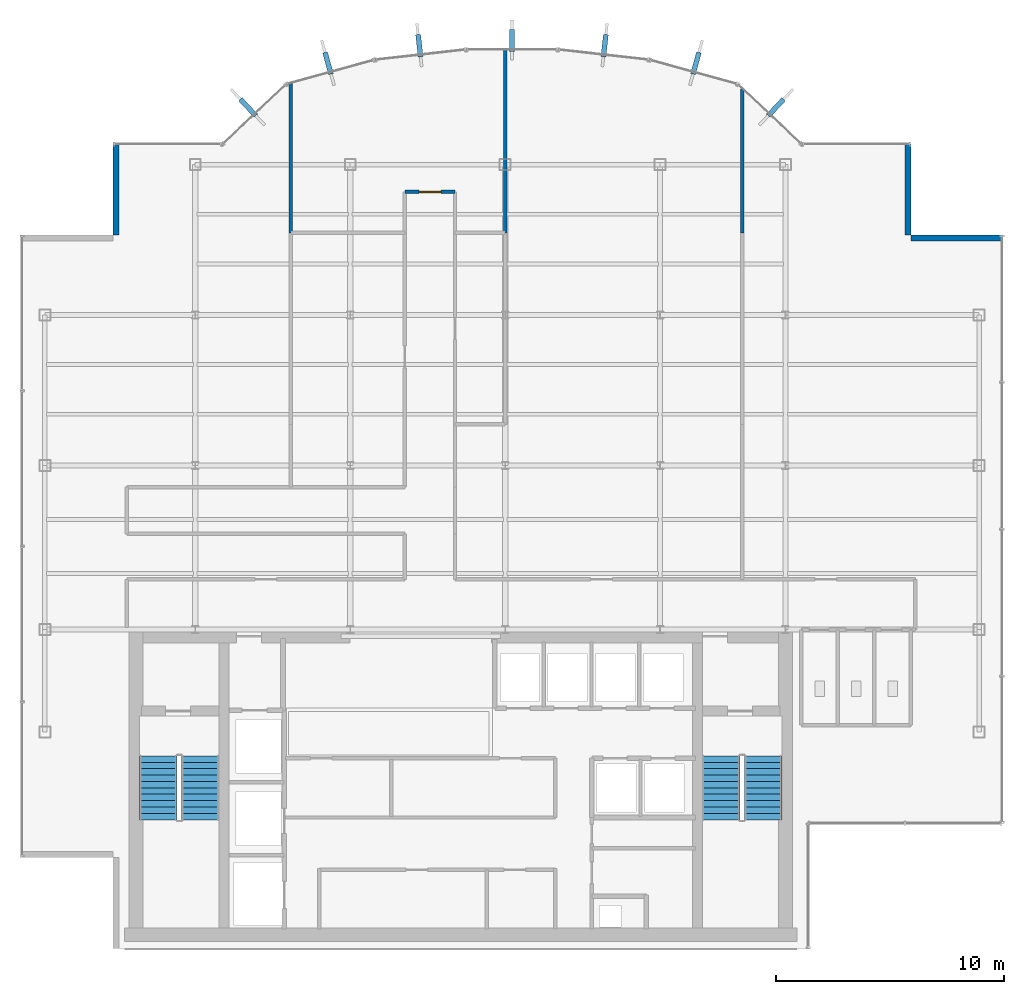
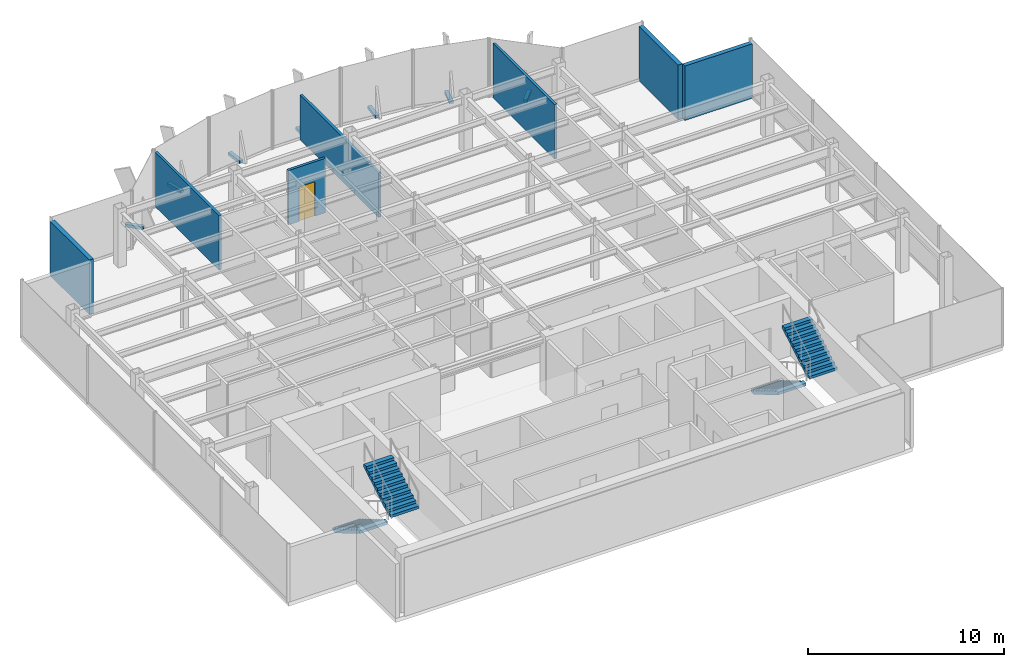
# One storey, part 19 of 22: 7 discrete accessories, 7 walls, 4 stair flights, 1 door, 1 opening, 2 elements without a shape of their own.
"""IFC4 building model written with IfcOpenShell, lengths in metres."""

from ifc_helpers import new_model, si_unit, derived_unit, direction, frame, frame_2d, origin, origin_2d, place, context, subcontext, project, spatial, polyline, rectangle, outline, extrude, source, transform, mapped, material, layer, layer_set, type_object, element, fill, aggregate, save


model = new_model("IFC4")

# Units and contexts
model_context = context("Model", 3, precision=1e-05, world=origin(), true_north=direction((0.0, 1.0)))
body_context = subcontext(model_context, "Body", "Model", "MODEL_VIEW")
ifc_project = project(units=[si_unit("LENGTHUNIT", "METRE"), si_unit("AREAUNIT", "SQUARE_METRE"), si_unit("VOLUMEUNIT", "CUBIC_METRE"), si_unit("PLANEANGLEUNIT", "RADIAN"), si_unit("MASSUNIT", "GRAM", prefix="KILO"), derived_unit("THERMALTRANSMITTANCEUNIT", [(si_unit("POWERUNIT", "WATT"), 1), (si_unit("LENGTHUNIT", "METRE"), -2), (si_unit("THERMODYNAMICTEMPERATUREUNIT", "KELVIN"), -1)])], contexts=[model_context])

# Site, building, storey
site_placement = place(None, origin())
site = spatial("IfcSite", under=ifc_project, at=site_placement, CompositionType="ELEMENT")
building_placement = place(site_placement, origin())
building = spatial("IfcBuilding", under=site, at=building_placement, Name="Skarnbrae Concourse Arena and Tower", CompositionType="ELEMENT")
storey_placement = place(building_placement, frame((0.0, 0.0, 228.75)))
storey = spatial("IfcBuildingStorey", under=building, at=storey_placement, Name="L59", CompositionType="ELEMENT", Elevation=228.75)

# Walls
ifc_material_1 = material(Name="Precast concrete 40 MPa (C40/50)", Category="concrete")
ifc_layer_1 = layer(ifc_material_1, 0.25)
ifc_layer_set_1 = layer_set([ifc_layer_1], Name="Precast concrete 40 MPa (C40/50)")
wall_type_1 = type_object("IfcWallType", Name="WALL-EXT-SPANDREL-250", PredefinedType="STANDARD", material=ifc_layer_set_1)
shared_shape_1 = source(origin(), body_context, "Body", "SweptSolid", [
    extrude(rectangle(XDim=4.0, YDim=0.25, at=frame_2d((2.0, 0.0))), origin(), (0.0, 0.0, 1.0), 3.39990234375),
])
for number, where, z_axis, x_axis, name in (
    (1, (43.0, 31.175048828125, 0.0), (0.0, 0.0, 1.0), (-1.0, 0.0, 0.0), "L59 Notched corner insulated return wall 05"),
    (2, (38.875, 31.300048828125, 0.0), (0.0, 0.0, 1.0), (0.0, 1.0, 0.0), "L59 Notched corner insulated return wall 06"),
    (3, (4.125, 35.300048828125, 0.0), (0.0, 0.0, 1.0), (0.0, -1.0, 0.0), "L59 Notched corner insulated return wall 16"),
):
    element("IfcWall", number, at=place(storey_placement, frame(where, z_axis=z_axis, x_axis=x_axis)), inside=storey, type_object=wall_type_1, Name=name, PredefinedType="STANDARD", context=body_context, shape_type="MappedRepresentation", body=[
        mapped(shared_shape_1, transform((0.0, 0.0, 0.0))),
    ])

# Wall, opening, door
ifc_material_2 = material(Name="Gypsum board on cold-formed steel studs", Category="steel")
ifc_layer_2 = layer(ifc_material_2, 0.14990234375)
ifc_layer_set_2 = layer_set([ifc_layer_2], Name="Gypsum board on cold-formed steel studs")
wall_type_2 = type_object("IfcWallType", Name="WALL-PART-150-1HR", PredefinedType="PARTITIONING", material=ifc_layer_set_2)
shared_shape_2 = source(origin(), body_context, "Body", "SweptSolid", [
    extrude(rectangle(XDim=2.199951171875, YDim=0.14990234375, at=frame_2d((1.10009765625, 0.0))), origin(), (0.0, 0.0, 1.0), 3.39990234375),
])
wall_1_placement = place(storey_placement, frame((16.800048828125, 33.199951171875, 0.0), z_axis=(0.0, 0.0, 1.0), x_axis=(1.0, 0.0, 0.0)))
wall_1 = element("IfcWall", 4, at=wall_1_placement, inside=storey, type_object=wall_type_2, Name="L59 Interior partition wall W-L59-COR-08", PredefinedType="PARTITIONING", context=body_context, shape_type="MappedRepresentation", body=[
    mapped(shared_shape_2, transform((0.0, 0.0, 0.0))),
])
opening_placement = place(wall_1_placement, frame((0.625, 0.0, 0.0)))
opening = element("IfcOpeningElement", 5, at=opening_placement, cuts=wall_1, Name="Opening DT-04", PredefinedType="OPENING", context=body_context, shape_type="SweptSolid", body=[
    extrude(rectangle(XDim=0.949951171875, YDim=2.14990234375, at=frame_2d((0.47509765625, 1.074951171875))), frame((0.0, 0.0849609375, 0.0), z_axis=(0.0, -1.0, 0.0), x_axis=(1.0, 0.0, 0.0)), (0.0, 0.0, 1.0), 0.169921875),
])
ifc_material_3 = material(Name="Steel CSA G40.21 350W", Category="steel")
door_type = type_object("IfcDoorType", Name="DOOR-INT-950-45M", OperationType="NOTDEFINED", PredefinedType="DOOR", material=ifc_material_3)
shared_shape_3 = source(origin(), body_context, "Body", "SweptSolid", [
    extrude(rectangle(XDim=0.949951171875, YDim=2.14990234375, at=frame_2d((0.47509765625, 1.074951171875))), frame((0.0, 0.02490234375, 0.0), z_axis=(0.0, -1.0, 0.0), x_axis=(1.0, 0.0, 0.0)), (0.0, 0.0, 1.0), 0.050048828125),
])
door_placement = place(opening_placement, origin())
door = element("IfcDoor", 6, at=door_placement, inside=storey, type_object=door_type, Name="D-1814 L59 Suite Door 03", OperationType="SINGLE_SWING_LEFT", OverallHeight=2.14990234375, OverallWidth=0.949951171875, PredefinedType="DOOR", context=body_context, shape_type="MappedRepresentation", body=[
    mapped(shared_shape_3, transform((0.0, 0.0, 0.0))),
])
fill(opening, door)

# Walls
ifc_layer_3 = layer(ifc_material_2, 0.14990234375)
ifc_layer_set_3 = layer_set([ifc_layer_3], Name="Gypsum board on cold-formed steel studs")
wall_type_3 = type_object("IfcWallType", Name="WALL-PART-150", PredefinedType="PARTITIONING", material=ifc_layer_set_3)
shared_shape_4 = source(origin(), body_context, "Body", "SweptSolid", [
    extrude(rectangle(XDim=6.563720703125, YDim=0.14990234375, at=frame_2d((3.28173828125, 0.0))), origin(), (0.0, 0.0, 1.0), 3.39990234375),
])
wall_2_placement = place(storey_placement, frame((11.800048828125, 37.963623046875, 0.0), z_axis=(0.0, 0.0, 1.0), x_axis=(0.0, -1.0, 0.0)))
element("IfcWall", 7, at=wall_2_placement, inside=storey, type_object=wall_type_3, Name="L59 Interior partition wall W-L59-DEM-18", PredefinedType="PARTITIONING", context=body_context, shape_type="MappedRepresentation", body=[
    mapped(shared_shape_4, transform((0.0, 0.0, 0.0))),
])
shared_shape_5 = source(origin(), body_context, "Body", "SweptSolid", [
    extrude(rectangle(XDim=6.3203125, YDim=0.14990234375, at=frame_2d((3.16015625, 0.0))), origin(), (0.0, 0.0, 1.0), 3.39990234375),
])
wall_3_placement = place(storey_placement, frame((31.60009765625, 37.72021484375, 0.0), z_axis=(0.0, 0.0, 1.0), x_axis=(0.0, -1.0, 0.0)))
element("IfcWall", 8, at=wall_3_placement, inside=storey, type_object=wall_type_3, Name="L59 Interior partition wall W-L59-DEM-23", PredefinedType="PARTITIONING", context=body_context, shape_type="MappedRepresentation", body=[
    mapped(shared_shape_5, transform((0.0, 0.0, 0.0))),
])
shared_shape_6 = source(origin(), body_context, "Body", "SweptSolid", [
    extrude(rectangle(XDim=8.02685546875, YDim=0.14990234375, at=frame_2d((4.013427734375, 0.0))), origin(), (0.0, 0.0, 1.0), 2.787109375),
])
wall_4_placement = place(storey_placement, frame((21.199951171875, 39.4267578125, 0.0), z_axis=(0.0, 0.0, 1.0), x_axis=(0.0, -1.0, 0.0)))
element("IfcWall", 9, at=wall_4_placement, inside=storey, type_object=wall_type_3, Name="L59 Interior partition wall W-L59-DEM-22", PredefinedType="PARTITIONING", context=body_context, shape_type="MappedRepresentation", body=[
    mapped(shared_shape_6, transform((0.0, 0.0, 0.0))),
])

# Stair, stair flights
ifc_material_4 = material(Name="Concrete 40 MPa (C40/50)", Category="concrete")
stair_type = type_object("IfcStairType", Name="STAIR-DOGLEG-1650", PredefinedType="HALF_TURN_STAIR", material=ifc_material_4)
stair_1_placement = place(storey_placement, origin())
stair_1 = element("IfcStair", 10, at=stair_1_placement, inside=storey, type_object=stair_type, Name="L59 Protected Exit Stair ST-1", PredefinedType="HALF_TURN_STAIR")
stair_flight_type = type_object("IfcStairFlightType", Name="FLIGHT-STRAIGHT-1650", PredefinedType="STRAIGHT", material=ifc_material_4)
shared_shape_7 = source(origin(), body_context, "Body", "SweptSolid", [
    extrude(outline(polyline([(0.0, 0.0), (0.0, 0.166015625), (0.280029296875, 0.166015625), (0.280029296875, 0.331787109375), (0.56005859375, 0.331787109375), (0.56005859375, 0.497802734375), (0.840087890625, 0.497802734375), (0.840087890625, 0.66357421875), (1.1201171875, 0.66357421875), (1.1201171875, 0.82958984375), (1.39990234375, 0.82958984375), (1.39990234375, 0.995361328125), (1.679931640625, 0.995361328125), (1.679931640625, 1.161376953125), (1.9599609375, 1.161376953125), (1.9599609375, 1.327392578125), (2.239990234375, 1.327392578125), (2.239990234375, 1.4931640625), (2.52001953125, 1.4931640625), (2.52001953125, 1.6591796875), (2.800048828125, 1.6591796875), (2.800048828125, 1.824951171875), (2.800048828125, 1.48486328125), (0.2939453125, 0.0), (0.0, 0.0)])), frame((0.0, 0.824951171875, 0.0), z_axis=(0.0, -1.0, 0.0), x_axis=(1.0, 0.0, 0.0)), (0.0, 0.0, 1.0), 1.64990234375),
])
stair_flight_1_placement = place(storey_placement, frame((5.97509765625, 8.449951171875, 0.0), z_axis=(0.0, 0.0, 1.0), x_axis=(0.0, -1.0, 0.0)))
stair_flight_1 = element("IfcStairFlight", 11, at=stair_flight_1_placement, type_object=stair_flight_type, Name="ST-1 flight 1", NumberOfRisers=11, NumberOfTreads=10, PredefinedType="STRAIGHT", RiserHeight=0.165909091, TreadLength=0.28, context=body_context, shape_type="MappedRepresentation", body=[
    mapped(shared_shape_7, transform((0.0, 0.0, 0.0))),
])
stair_flight_2_placement = place(storey_placement, frame((7.824951171875, 5.64990234375, 1.824951171875), z_axis=(0.0, 0.0, 1.0), x_axis=(0.0, 1.0, 0.0)))
stair_flight_2 = element("IfcStairFlight", 12, at=stair_flight_2_placement, type_object=stair_flight_type, Name="ST-1 flight 2", NumberOfRisers=11, NumberOfTreads=10, PredefinedType="STRAIGHT", RiserHeight=0.165909091, TreadLength=0.28, context=body_context, shape_type="MappedRepresentation", body=[
    mapped(shared_shape_7, transform((0.0, 0.0, 0.0))),
])
aggregate(stair_1, [stair_flight_1, stair_flight_2])

stair_2_placement = place(storey_placement, origin())
stair_2 = element("IfcStair", 13, at=stair_2_placement, inside=storey, type_object=stair_type, Name="L59 Protected Exit Stair ST-2", PredefinedType="HALF_TURN_STAIR")
stair_flight_3_placement = place(storey_placement, frame((30.675048828125, 8.449951171875, 0.0), z_axis=(0.0, 0.0, 1.0), x_axis=(0.0, -1.0, 0.0)))
stair_flight_3 = element("IfcStairFlight", 14, at=stair_flight_3_placement, type_object=stair_flight_type, Name="ST-2 flight 1", NumberOfRisers=11, NumberOfTreads=10, PredefinedType="STRAIGHT", RiserHeight=0.165909091, TreadLength=0.28, context=body_context, shape_type="MappedRepresentation", body=[
    mapped(shared_shape_7, transform((0.0, 0.0, 0.0))),
])
stair_flight_4_placement = place(storey_placement, frame((32.52490234375, 5.64990234375, 1.824951171875), z_axis=(0.0, 0.0, 1.0), x_axis=(0.0, 1.0, 0.0)))
stair_flight_4 = element("IfcStairFlight", 15, at=stair_flight_4_placement, type_object=stair_flight_type, Name="ST-2 flight 2", NumberOfRisers=11, NumberOfTreads=10, PredefinedType="STRAIGHT", RiserHeight=0.165909091, TreadLength=0.28, context=body_context, shape_type="MappedRepresentation", body=[
    mapped(shared_shape_7, transform((0.0, 0.0, 0.0))),
])
aggregate(stair_2, [stair_flight_3, stair_flight_4])

# Discrete accessories
ifc_material_5 = material(Name="Bronze anodised aluminium 6063-T6", Category="aluminium")
discrete_accessory_type = type_object("IfcDiscreteAccessoryType", Name="ACC-FIN-BRACKET", PredefinedType="BRACKET", material=ifc_material_5)
shared_shape_8 = source(origin(), body_context, "Body", "SweptSolid", [
    extrude(rectangle(XDim=0.219970703125, YDim=0.97998046875, at=origin_2d()), origin(), (0.0, 0.0, 1.0), 0.179931640625),
])
for number, where, z_axis, x_axis, name in (
    (16, (33.0791015625, 36.904541015625, -0.02978515625), (0.0, 0.0, 1.0), (0.728131751529, -0.685437198009, 0.0), "L59 Bronze fin foot support bracket 08"),
    (17, (29.573974609375, 38.847412109375, -0.02978515625), (0.0, 0.0, 1.0), (0.964058316208, -0.265690728011, 0.0), "L59 Bronze fin foot support bracket 09"),
    (18, (25.566162109375, 39.619384765625, -0.02978515625), (0.0, 0.0, 1.0), (0.993769864509, -0.111451587667, 0.0), "L59 Bronze fin foot support bracket 10"),
    (19, (21.5, 39.8466796875, -0.02978515625), (0.0, 0.0, 1.0), (1.0, 0.0, 0.0), "L59 Bronze fin foot support bracket 11"),
    (20, (17.433837890625, 39.619384765625, -0.02978515625), (0.0, 0.0, 1.0), (0.993769864509, 0.111451587667, 0.0), "L59 Bronze fin foot support bracket 12"),
    (21, (13.426025390625, 38.847412109375, -0.02978515625), (0.0, 0.0, 1.0), (0.964058316208, 0.265690728011, 0.0), "L59 Bronze fin foot support bracket 13"),
    (22, (9.9208984375, 36.904541015625, -0.02978515625), (0.0, 0.0, 1.0), (0.728131751529, 0.685437198009, 0.0), "L59 Bronze fin foot support bracket 14"),
):
    element("IfcDiscreteAccessory", number, at=place(storey_placement, frame(where, z_axis=z_axis, x_axis=x_axis)), inside=storey, type_object=discrete_accessory_type, Name=name, PredefinedType="BRACKET", context=body_context, shape_type="MappedRepresentation", body=[
        mapped(shared_shape_8, transform((0.0, 0.0, 0.0))),
    ])

save(model, "model.ifc")
